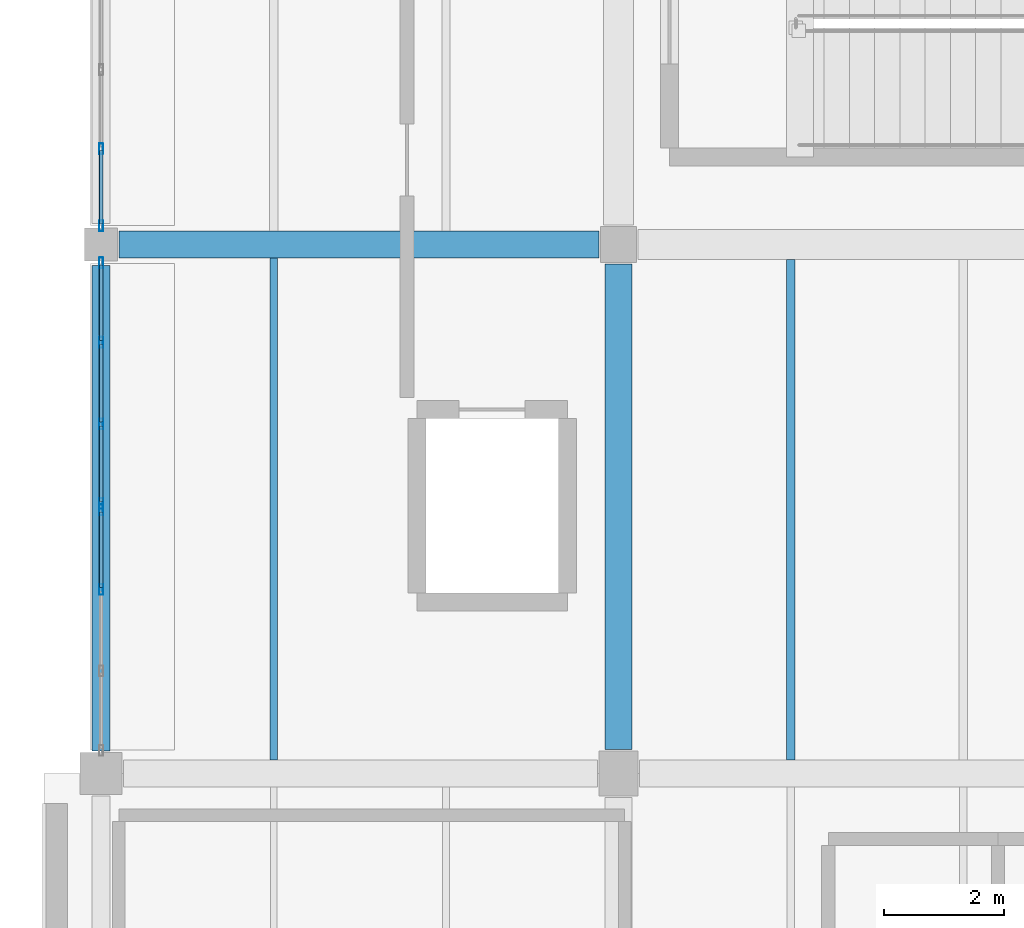
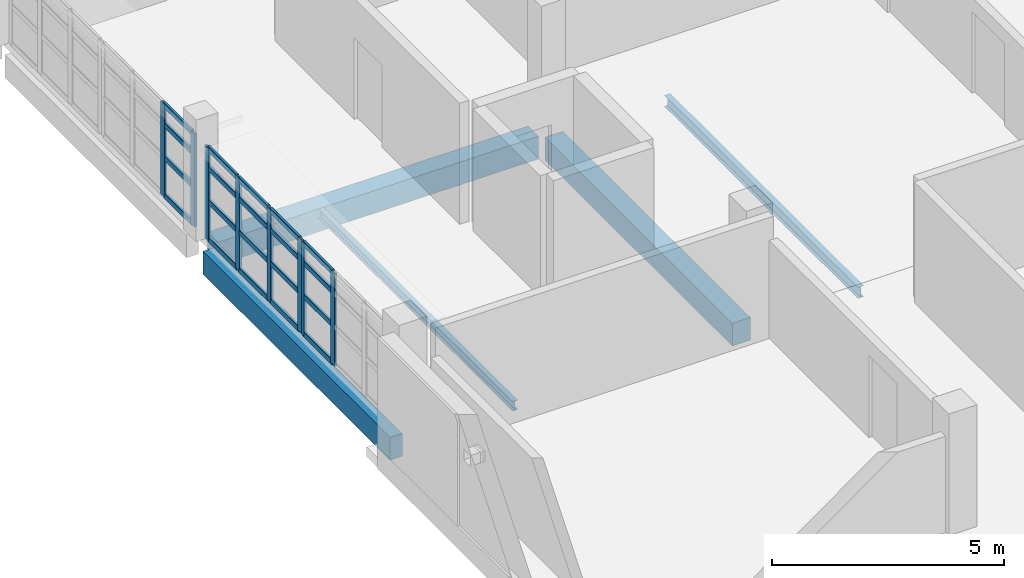
# One storey, part 9 of 55: 28 members, 5 beams, 3 elements without a shape of their own.
"""IFC4 building model written with IfcOpenShell, lengths in metres."""

from ifc_helpers import new_model, si_unit, direction, frame, origin, origin_2d, place, context, subcontext, project, spatial, rectangle, hollow_rectangle, i_section, extrude, material, material_profile, profile_set, type_object, element, aggregate, save


model = new_model("IFC4")

# Units and contexts
model_context = context("Model", 3, precision=1e-05, world=origin(), true_north=direction((0.0, 1.0)))
body_context = subcontext(model_context, "Body", "Model", "MODEL_VIEW")
ifc_project = project(units=[si_unit("LENGTHUNIT", "METRE"), si_unit("AREAUNIT", "SQUARE_METRE"), si_unit("VOLUMEUNIT", "CUBIC_METRE"), si_unit("PLANEANGLEUNIT", "RADIAN"), si_unit("MASSUNIT", "GRAM", prefix="KILO")], contexts=[model_context])

# Site, building, storey
site_placement = place(None, origin())
site = spatial("IfcSite", under=ifc_project, at=site_placement, CompositionType="ELEMENT")
building_placement = place(site_placement, origin())
building = spatial("IfcBuilding", under=site, at=building_placement, Name="Varnakota Cinema and Media Centre", CompositionType="ELEMENT")
storey_placement = place(building_placement, frame((0.0, 0.0, 15.60009765625)))
storey = spatial("IfcBuildingStorey", under=building, at=storey_placement, Name="L04", CompositionType="ELEMENT", Elevation=15.60009765625)

# Beams
ifc_material_1 = material(Name="Concrete M35", Category="concrete")
ifc_material_profile_1 = material_profile(ifc_material_1, rectangle(XDim=0.449951171875, YDim=0.60009765625, at=origin_2d()), Name="RCB 450x600")
ifc_profile_set_1 = profile_set([ifc_material_profile_1], Name="Concrete M35")
beam_type_1 = type_object("IfcBeamType", Name="BM-RC-450x600", PredefinedType="BEAM", material=ifc_profile_set_1)
beam_1_placement = place(storey_placement, frame((0.300048828125, 44.0, -0.550048828125), z_axis=(1.0, 0.0, 0.0), x_axis=(0.0, 1.0, 0.0)))
element("IfcBeam", 1, at=beam_1_placement, inside=storey, type_object=beam_type_1, Name="L04 girder A-B/6", PredefinedType="BEAM", context=body_context, shape_type="SweptSolid", body=[
    extrude(rectangle(XDim=0.449951171875, YDim=0.60009765625, at=origin_2d()), origin(), (0.0, 0.0, 1.0), 7.974853515625),
])
beam_2_placement = place(storey_placement, frame((8.60009765625, 35.60009765625, -0.550048828125), z_axis=(0.0, 1.0, 0.0), x_axis=(-1.0, 0.0, 0.0)))
element("IfcBeam", 2, at=beam_2_placement, inside=storey, type_object=beam_type_1, Name="L04 girder B/5-6", PredefinedType="BEAM", context=body_context, shape_type="SweptSolid", body=[
    extrude(rectangle(XDim=0.449951171875, YDim=0.60009765625, at=origin_2d()), origin(), (0.0, 0.0, 1.0), 8.074951171875),
])
ifc_material_2 = material(Name="Concrete M35", Category="concrete")
ifc_material_profile_2 = material_profile(ifc_material_2, rectangle(XDim=0.300048828125, YDim=0.60009765625, at=origin_2d()), Name="RCB 300x600")
ifc_profile_set_2 = profile_set([ifc_material_profile_2], Name="Concrete M35")
beam_type_2 = type_object("IfcBeamType", Name="BM-SP-300x600", PredefinedType="SPANDREL", material=ifc_profile_set_2)
beam_3_placement = place(storey_placement, frame((0.0, 35.574951171875, -0.550048828125), z_axis=(0.0, 1.0, 0.0), x_axis=(-1.0, 0.0, 0.0)))
element("IfcBeam", 3, at=beam_3_placement, inside=storey, type_object=beam_type_2, Name="L04 girder A/5-6", PredefinedType="SPANDREL", context=body_context, shape_type="SweptSolid", body=[
    extrude(rectangle(XDim=0.300048828125, YDim=0.60009765625, at=origin_2d()), origin(), (0.0, 0.0, 1.0), 8.074951171875),
])
ifc_material_3 = material(Name="Structural steel Grade 350 (E350)", Category="steel")
ifc_material_profile_3 = material_profile(ifc_material_3, i_section(OverallWidth=0.125, OverallDepth=0.25, WebThickness=0.0068359375, FlangeThickness=0.012451171875, FilletRadius=0.012939453125, at=origin_2d()), Name="ISMB 250")
ifc_profile_set_3 = profile_set([ifc_material_profile_3], Name="Structural steel Grade 350 (E350)")
beam_type_3 = type_object("IfcBeamType", Name="BM-ST-ISMB250", PredefinedType="JOIST", material=ifc_profile_set_3)
beam_4_placement = place(storey_placement, frame((2.86669921875, 35.425048828125, -0.375), z_axis=(0.0, 1.0, 0.0), x_axis=(-1.0, 0.0, 0.0)))
element("IfcBeam", 4, at=beam_4_placement, inside=storey, type_object=beam_type_3, Name="L04 steel joist A-B/5-6 #1", PredefinedType="JOIST", context=body_context, shape_type="SweptSolid", body=[
    extrude(i_section(OverallWidth=0.125, OverallDepth=0.25, WebThickness=0.0068359375, FlangeThickness=0.012451171875, FilletRadius=0.012939453125, at=origin_2d()), origin(), (0.0, 0.0, 1.0), 8.349853515625),
])
ifc_material_4 = material(Name="Structural steel Grade 350 (E350)", Category="steel")
ifc_material_profile_4 = material_profile(ifc_material_4, i_section(OverallWidth=0.139892578125, OverallDepth=0.300048828125, WebThickness=0.0078125, FlangeThickness=0.01318359375, FilletRadius=0.013916015625, at=origin_2d()), Name="ISMB 300")
ifc_profile_set_4 = profile_set([ifc_material_profile_4], Name="Structural steel Grade 350 (E350)")
beam_type_4 = type_object("IfcBeamType", Name="BM-ST-ISMB300", PredefinedType="JOIST", material=ifc_profile_set_4)
beam_5_placement = place(storey_placement, frame((11.466796875, 35.425048828125, -0.400146484375), z_axis=(0.0, 1.0, 0.0), x_axis=(-1.0, 0.0, 0.0)))
element("IfcBeam", 5, at=beam_5_placement, inside=storey, type_object=beam_type_4, Name="L04 steel joist B-C/5-6 #1", PredefinedType="JOIST", context=body_context, shape_type="SweptSolid", body=[
    extrude(i_section(OverallWidth=0.139892578125, OverallDepth=0.300048828125, WebThickness=0.0078125, FlangeThickness=0.01318359375, FilletRadius=0.013916015625, at=origin_2d()), origin(), (0.0, 0.0, 1.0), 8.324951171875),
])

# Curtain wall, members
ifc_material_5 = material(Name="Thermally broken anodised aluminium AW-6063", Category="aluminium")
curtain_wall_type_1 = type_object("IfcCurtainWallType", Name="CW-STD-394x244", PredefinedType="USERDEFINED", material=ifc_material_5)
curtain_wall_1_placement = place(storey_placement, origin())
curtain_wall_1 = element("IfcCurtainWall", 6, at=curtain_wall_1_placement, inside=storey, type_object=curtain_wall_type_1, Name="L04 curtain wall CW-L04-V5-W-02-2", ObjectType="UNITISED CURTAIN WALL", PredefinedType="USERDEFINED")
ifc_material_6 = material(Name="Thermally broken anodised aluminium AW-6063", Category="aluminium")
ifc_material_profile_5 = material_profile(ifc_material_6, hollow_rectangle(XDim=0.06494140625, YDim=0.179931640625, WallThickness=0.00390625, InnerFilletRadius=0.00390625, OuterFilletRadius=0.008056640625, at=origin_2d()), Name="AL-MULLION 180x65x4")
ifc_profile_set_5 = profile_set([ifc_material_profile_5], Name="Thermally broken anodised aluminium AW-6063")
member_type_1 = type_object("IfcMemberType", Name="CWM-AL-180", PredefinedType="MULLION", material=ifc_profile_set_5)
member_1_placement = place(storey_placement, frame((0.0, 45.589111328125, 0.0), z_axis=(0.0, 0.0, 1.0), x_axis=(1.0, 0.0, 0.0)))
member_1 = element("IfcMember", 7, at=member_1_placement, type_object=member_type_1, Name="CW50 mullion 3", PredefinedType="MULLION", context=body_context, shape_type="SweptSolid", body=[
    extrude(hollow_rectangle(XDim=0.06494140625, YDim=0.179931640625, WallThickness=0.00390625, InnerFilletRadius=0.00390625, OuterFilletRadius=0.008056640625, at=origin_2d()), origin(), (0.0, 0.0, 1.0), 2.434814453125),
])
member_2_placement = place(storey_placement, frame((0.0, 44.3076171875, 0.0), z_axis=(0.0, 0.0, 1.0), x_axis=(1.0, 0.0, 0.0)))
member_2 = element("IfcMember", 8, at=member_2_placement, type_object=member_type_1, Name="CW50 mullion 4", PredefinedType="MULLION", context=body_context, shape_type="SweptSolid", body=[
    extrude(hollow_rectangle(XDim=0.06494140625, YDim=0.179931640625, WallThickness=0.00390625, InnerFilletRadius=0.00390625, OuterFilletRadius=0.008056640625, at=origin_2d()), origin(), (0.0, 0.0, 1.0), 2.434814453125),
])

ifc_material_7 = material(Name="Thermally broken anodised aluminium AW-6063", Category="aluminium")
curtain_wall_type_2 = type_object("IfcCurtainWallType", Name="CW-STD-407x244", PredefinedType="USERDEFINED", material=ifc_material_7)
curtain_wall_2_placement = place(storey_placement, origin())
curtain_wall_2 = element("IfcCurtainWall", 9, at=curtain_wall_2_placement, inside=storey, type_object=curtain_wall_type_2, Name="L04 curtain wall CW-L04-V5-W-03-1", ObjectType="UNITISED CURTAIN WALL", PredefinedType="USERDEFINED")
member_3_placement = place(storey_placement, frame((0.0, 43.6923828125, 0.0), z_axis=(0.0, 0.0, 1.0), x_axis=(1.0, 0.0, 0.0)))
member_3 = element("IfcMember", 10, at=member_3_placement, type_object=member_type_1, Name="CW51 mullion 1", PredefinedType="MULLION", context=body_context, shape_type="SweptSolid", body=[
    extrude(hollow_rectangle(XDim=0.06494140625, YDim=0.179931640625, WallThickness=0.00390625, InnerFilletRadius=0.00390625, OuterFilletRadius=0.008056640625, at=origin_2d()), origin(), (0.0, 0.0, 1.0), 2.434814453125),
])
member_4_placement = place(storey_placement, frame((0.0, 42.369140625, 0.0), z_axis=(0.0, 0.0, 1.0), x_axis=(1.0, 0.0, 0.0)))
member_4 = element("IfcMember", 11, at=member_4_placement, type_object=member_type_1, Name="CW51 mullion 2", PredefinedType="MULLION", context=body_context, shape_type="SweptSolid", body=[
    extrude(hollow_rectangle(XDim=0.06494140625, YDim=0.179931640625, WallThickness=0.00390625, InnerFilletRadius=0.00390625, OuterFilletRadius=0.008056640625, at=origin_2d()), origin(), (0.0, 0.0, 1.0), 2.434814453125),
])
member_5_placement = place(storey_placement, frame((0.0, 41.013427734375, 0.0), z_axis=(0.0, 0.0, 1.0), x_axis=(1.0, 0.0, 0.0)))
member_5 = element("IfcMember", 12, at=member_5_placement, type_object=member_type_1, Name="CW51 mullion 3", PredefinedType="MULLION", context=body_context, shape_type="SweptSolid", body=[
    extrude(hollow_rectangle(XDim=0.06494140625, YDim=0.179931640625, WallThickness=0.00390625, InnerFilletRadius=0.00390625, OuterFilletRadius=0.008056640625, at=origin_2d()), origin(), (0.0, 0.0, 1.0), 2.434814453125),
])
member_6_placement = place(storey_placement, frame((0.0, 39.68994140625, 0.0), z_axis=(0.0, 0.0, 1.0), x_axis=(1.0, 0.0, 0.0)))
member_6 = element("IfcMember", 13, at=member_6_placement, type_object=member_type_1, Name="CW51 mullion 4", PredefinedType="MULLION", context=body_context, shape_type="SweptSolid", body=[
    extrude(hollow_rectangle(XDim=0.06494140625, YDim=0.179931640625, WallThickness=0.00390625, InnerFilletRadius=0.00390625, OuterFilletRadius=0.008056640625, at=origin_2d()), origin(), (0.0, 0.0, 1.0), 2.434814453125),
])

curtain_wall_3_placement = place(storey_placement, origin())
curtain_wall_3 = element("IfcCurtainWall", 14, at=curtain_wall_3_placement, inside=storey, type_object=curtain_wall_type_2, Name="L04 curtain wall CW-L04-V5-W-03-2", ObjectType="UNITISED CURTAIN WALL", PredefinedType="USERDEFINED")
member_7_placement = place(storey_placement, frame((0.0, 39.5849609375, 0.0), z_axis=(0.0, 0.0, 1.0), x_axis=(1.0, 0.0, 0.0)))
member_7 = element("IfcMember", 15, at=member_7_placement, type_object=member_type_1, Name="CW51 mullion 1", PredefinedType="MULLION", context=body_context, shape_type="SweptSolid", body=[
    extrude(hollow_rectangle(XDim=0.06494140625, YDim=0.179931640625, WallThickness=0.00390625, InnerFilletRadius=0.00390625, OuterFilletRadius=0.008056640625, at=origin_2d()), origin(), (0.0, 0.0, 1.0), 2.434814453125),
])
member_8_placement = place(storey_placement, frame((0.0, 38.26171875, 0.0), z_axis=(0.0, 0.0, 1.0), x_axis=(1.0, 0.0, 0.0)))
member_8 = element("IfcMember", 16, at=member_8_placement, type_object=member_type_1, Name="CW51 mullion 2", PredefinedType="MULLION", context=body_context, shape_type="SweptSolid", body=[
    extrude(hollow_rectangle(XDim=0.06494140625, YDim=0.179931640625, WallThickness=0.00390625, InnerFilletRadius=0.00390625, OuterFilletRadius=0.008056640625, at=origin_2d()), origin(), (0.0, 0.0, 1.0), 2.434814453125),
])

# Member
ifc_material_8 = material(Name="Thermally broken anodised aluminium AW-6063", Category="aluminium")
ifc_material_profile_6 = material_profile(ifc_material_8, hollow_rectangle(XDim=0.06494140625, YDim=0.139892578125, WallThickness=0.00390625, InnerFilletRadius=0.00390625, OuterFilletRadius=0.008056640625, at=origin_2d()), Name="AL-TRANSOM 140x65x4")
ifc_profile_set_6 = profile_set([ifc_material_profile_6], Name="Thermally broken anodised aluminium AW-6063")
member_type_2 = type_object("IfcMemberType", Name="CWT-AL-140", PredefinedType="USERDEFINED", material=ifc_profile_set_6)
member_9_placement = place(storey_placement, frame((0.0, 45.556640625, 0.032470703125), z_axis=(0.0, -1.0, 0.0), x_axis=(1.0, 0.0, 0.0)))
member_9 = element("IfcMember", 17, at=member_9_placement, type_object=member_type_2, Name="CW50 transom 3.1", ObjectType="TRANSOM", PredefinedType="USERDEFINED", context=body_context, shape_type="SweptSolid", body=[
    extrude(hollow_rectangle(XDim=0.06494140625, YDim=0.139892578125, WallThickness=0.00390625, InnerFilletRadius=0.00390625, OuterFilletRadius=0.008056640625, at=origin_2d()), origin(), (0.0, 0.0, 1.0), 1.216552734375),
])

member_10_placement = place(storey_placement, frame((0.0, 45.556640625, 1.022705078125), z_axis=(0.0, -1.0, 0.0), x_axis=(1.0, 0.0, 0.0)))
member_10 = element("IfcMember", 18, at=member_10_placement, type_object=member_type_2, Name="CW50 transom 3.2", ObjectType="TRANSOM", PredefinedType="USERDEFINED", context=body_context, shape_type="SweptSolid", body=[
    extrude(hollow_rectangle(XDim=0.06494140625, YDim=0.139892578125, WallThickness=0.00390625, InnerFilletRadius=0.00390625, OuterFilletRadius=0.008056640625, at=origin_2d()), origin(), (0.0, 0.0, 1.0), 1.216552734375),
])

member_11_placement = place(storey_placement, frame((0.0, 45.556640625, 1.899169921875), z_axis=(0.0, -1.0, 0.0), x_axis=(1.0, 0.0, 0.0)))
member_11 = element("IfcMember", 19, at=member_11_placement, type_object=member_type_2, Name="CW50 transom 3.3", ObjectType="TRANSOM", PredefinedType="USERDEFINED", context=body_context, shape_type="SweptSolid", body=[
    extrude(hollow_rectangle(XDim=0.06494140625, YDim=0.139892578125, WallThickness=0.00390625, InnerFilletRadius=0.00390625, OuterFilletRadius=0.008056640625, at=origin_2d()), origin(), (0.0, 0.0, 1.0), 1.216552734375),
])

member_12_placement = place(storey_placement, frame((0.0, 45.556640625, 2.40234375), z_axis=(0.0, -1.0, 0.0), x_axis=(1.0, 0.0, 0.0)))
member_12 = element("IfcMember", 20, at=member_12_placement, type_object=member_type_2, Name="CW50 transom 3.4", ObjectType="TRANSOM", PredefinedType="USERDEFINED", context=body_context, shape_type="SweptSolid", body=[
    extrude(hollow_rectangle(XDim=0.06494140625, YDim=0.139892578125, WallThickness=0.00390625, InnerFilletRadius=0.00390625, OuterFilletRadius=0.008056640625, at=origin_2d()), origin(), (0.0, 0.0, 1.0), 1.216552734375),
])

aggregate(curtain_wall_1, [member_1, member_2, member_9, member_10, member_11, member_12])

member_13_placement = place(storey_placement, frame((0.0, 43.659912109375, 0.032470703125), z_axis=(0.0, -1.0, 0.0), x_axis=(1.0, 0.0, 0.0)))
member_13 = element("IfcMember", 21, at=member_13_placement, type_object=member_type_2, Name="CW51 transom 1.1", ObjectType="TRANSOM", PredefinedType="USERDEFINED", context=body_context, shape_type="SweptSolid", body=[
    extrude(hollow_rectangle(XDim=0.06494140625, YDim=0.139892578125, WallThickness=0.00390625, InnerFilletRadius=0.00390625, OuterFilletRadius=0.008056640625, at=origin_2d()), origin(), (0.0, 0.0, 1.0), 1.25830078125),
])

member_14_placement = place(storey_placement, frame((0.0, 43.659912109375, 1.022705078125), z_axis=(0.0, -1.0, 0.0), x_axis=(1.0, 0.0, 0.0)))
member_14 = element("IfcMember", 22, at=member_14_placement, type_object=member_type_2, Name="CW51 transom 1.2", ObjectType="TRANSOM", PredefinedType="USERDEFINED", context=body_context, shape_type="SweptSolid", body=[
    extrude(hollow_rectangle(XDim=0.06494140625, YDim=0.139892578125, WallThickness=0.00390625, InnerFilletRadius=0.00390625, OuterFilletRadius=0.008056640625, at=origin_2d()), origin(), (0.0, 0.0, 1.0), 1.25830078125),
])

member_15_placement = place(storey_placement, frame((0.0, 43.659912109375, 1.899169921875), z_axis=(0.0, -1.0, 0.0), x_axis=(1.0, 0.0, 0.0)))
member_15 = element("IfcMember", 23, at=member_15_placement, type_object=member_type_2, Name="CW51 transom 1.3", ObjectType="TRANSOM", PredefinedType="USERDEFINED", context=body_context, shape_type="SweptSolid", body=[
    extrude(hollow_rectangle(XDim=0.06494140625, YDim=0.139892578125, WallThickness=0.00390625, InnerFilletRadius=0.00390625, OuterFilletRadius=0.008056640625, at=origin_2d()), origin(), (0.0, 0.0, 1.0), 1.25830078125),
])

member_16_placement = place(storey_placement, frame((0.0, 43.659912109375, 2.40234375), z_axis=(0.0, -1.0, 0.0), x_axis=(1.0, 0.0, 0.0)))
member_16 = element("IfcMember", 24, at=member_16_placement, type_object=member_type_2, Name="CW51 transom 1.4", ObjectType="TRANSOM", PredefinedType="USERDEFINED", context=body_context, shape_type="SweptSolid", body=[
    extrude(hollow_rectangle(XDim=0.06494140625, YDim=0.139892578125, WallThickness=0.00390625, InnerFilletRadius=0.00390625, OuterFilletRadius=0.008056640625, at=origin_2d()), origin(), (0.0, 0.0, 1.0), 1.25830078125),
])

member_17_placement = place(storey_placement, frame((0.0, 42.336669921875, 0.032470703125), z_axis=(0.0, -1.0, 0.0), x_axis=(1.0, 0.0, 0.0)))
member_17 = element("IfcMember", 25, at=member_17_placement, type_object=member_type_2, Name="CW51 transom 2.1", ObjectType="TRANSOM", PredefinedType="USERDEFINED", context=body_context, shape_type="SweptSolid", body=[
    extrude(hollow_rectangle(XDim=0.06494140625, YDim=0.139892578125, WallThickness=0.00390625, InnerFilletRadius=0.00390625, OuterFilletRadius=0.008056640625, at=origin_2d()), origin(), (0.0, 0.0, 1.0), 1.290771484375),
])

member_18_placement = place(storey_placement, frame((0.0, 42.336669921875, 1.022705078125), z_axis=(0.0, -1.0, 0.0), x_axis=(1.0, 0.0, 0.0)))
member_18 = element("IfcMember", 26, at=member_18_placement, type_object=member_type_2, Name="CW51 transom 2.2", ObjectType="TRANSOM", PredefinedType="USERDEFINED", context=body_context, shape_type="SweptSolid", body=[
    extrude(hollow_rectangle(XDim=0.06494140625, YDim=0.139892578125, WallThickness=0.00390625, InnerFilletRadius=0.00390625, OuterFilletRadius=0.008056640625, at=origin_2d()), origin(), (0.0, 0.0, 1.0), 1.290771484375),
])

member_19_placement = place(storey_placement, frame((0.0, 42.336669921875, 1.899169921875), z_axis=(0.0, -1.0, 0.0), x_axis=(1.0, 0.0, 0.0)))
member_19 = element("IfcMember", 27, at=member_19_placement, type_object=member_type_2, Name="CW51 transom 2.3", ObjectType="TRANSOM", PredefinedType="USERDEFINED", context=body_context, shape_type="SweptSolid", body=[
    extrude(hollow_rectangle(XDim=0.06494140625, YDim=0.139892578125, WallThickness=0.00390625, InnerFilletRadius=0.00390625, OuterFilletRadius=0.008056640625, at=origin_2d()), origin(), (0.0, 0.0, 1.0), 1.290771484375),
])

member_20_placement = place(storey_placement, frame((0.0, 42.336669921875, 2.40234375), z_axis=(0.0, -1.0, 0.0), x_axis=(1.0, 0.0, 0.0)))
member_20 = element("IfcMember", 28, at=member_20_placement, type_object=member_type_2, Name="CW51 transom 2.4", ObjectType="TRANSOM", PredefinedType="USERDEFINED", context=body_context, shape_type="SweptSolid", body=[
    extrude(hollow_rectangle(XDim=0.06494140625, YDim=0.139892578125, WallThickness=0.00390625, InnerFilletRadius=0.00390625, OuterFilletRadius=0.008056640625, at=origin_2d()), origin(), (0.0, 0.0, 1.0), 1.290771484375),
])

member_21_placement = place(storey_placement, frame((0.0, 40.980712890625, 0.032470703125), z_axis=(0.0, -1.0, 0.0), x_axis=(1.0, 0.0, 0.0)))
member_21 = element("IfcMember", 29, at=member_21_placement, type_object=member_type_2, Name="CW51 transom 3.1", ObjectType="TRANSOM", PredefinedType="USERDEFINED", context=body_context, shape_type="SweptSolid", body=[
    extrude(hollow_rectangle(XDim=0.06494140625, YDim=0.139892578125, WallThickness=0.00390625, InnerFilletRadius=0.00390625, OuterFilletRadius=0.008056640625, at=origin_2d()), origin(), (0.0, 0.0, 1.0), 1.25830078125),
])

member_22_placement = place(storey_placement, frame((0.0, 40.980712890625, 1.022705078125), z_axis=(0.0, -1.0, 0.0), x_axis=(1.0, 0.0, 0.0)))
member_22 = element("IfcMember", 30, at=member_22_placement, type_object=member_type_2, Name="CW51 transom 3.2", ObjectType="TRANSOM", PredefinedType="USERDEFINED", context=body_context, shape_type="SweptSolid", body=[
    extrude(hollow_rectangle(XDim=0.06494140625, YDim=0.139892578125, WallThickness=0.00390625, InnerFilletRadius=0.00390625, OuterFilletRadius=0.008056640625, at=origin_2d()), origin(), (0.0, 0.0, 1.0), 1.25830078125),
])

member_23_placement = place(storey_placement, frame((0.0, 40.980712890625, 1.899169921875), z_axis=(0.0, -1.0, 0.0), x_axis=(1.0, 0.0, 0.0)))
member_23 = element("IfcMember", 31, at=member_23_placement, type_object=member_type_2, Name="CW51 transom 3.3", ObjectType="TRANSOM", PredefinedType="USERDEFINED", context=body_context, shape_type="SweptSolid", body=[
    extrude(hollow_rectangle(XDim=0.06494140625, YDim=0.139892578125, WallThickness=0.00390625, InnerFilletRadius=0.00390625, OuterFilletRadius=0.008056640625, at=origin_2d()), origin(), (0.0, 0.0, 1.0), 1.25830078125),
])

member_24_placement = place(storey_placement, frame((0.0, 40.980712890625, 2.40234375), z_axis=(0.0, -1.0, 0.0), x_axis=(1.0, 0.0, 0.0)))
member_24 = element("IfcMember", 32, at=member_24_placement, type_object=member_type_2, Name="CW51 transom 3.4", ObjectType="TRANSOM", PredefinedType="USERDEFINED", context=body_context, shape_type="SweptSolid", body=[
    extrude(hollow_rectangle(XDim=0.06494140625, YDim=0.139892578125, WallThickness=0.00390625, InnerFilletRadius=0.00390625, OuterFilletRadius=0.008056640625, at=origin_2d()), origin(), (0.0, 0.0, 1.0), 1.25830078125),
])

aggregate(curtain_wall_2, [member_3, member_4, member_5, member_6, member_13, member_14, member_15, member_16, member_17, member_18, member_19, member_20, member_21, member_22, member_23, member_24])

member_25_placement = place(storey_placement, frame((0.0, 39.552490234375, 0.032470703125), z_axis=(0.0, -1.0, 0.0), x_axis=(1.0, 0.0, 0.0)))
member_25 = element("IfcMember", 33, at=member_25_placement, type_object=member_type_2, Name="CW51 transom 1.1", ObjectType="TRANSOM", PredefinedType="USERDEFINED", context=body_context, shape_type="SweptSolid", body=[
    extrude(hollow_rectangle(XDim=0.06494140625, YDim=0.139892578125, WallThickness=0.00390625, InnerFilletRadius=0.00390625, OuterFilletRadius=0.008056640625, at=origin_2d()), origin(), (0.0, 0.0, 1.0), 1.25830078125),
])

member_26_placement = place(storey_placement, frame((0.0, 39.552490234375, 1.022705078125), z_axis=(0.0, -1.0, 0.0), x_axis=(1.0, 0.0, 0.0)))
member_26 = element("IfcMember", 34, at=member_26_placement, type_object=member_type_2, Name="CW51 transom 1.2", ObjectType="TRANSOM", PredefinedType="USERDEFINED", context=body_context, shape_type="SweptSolid", body=[
    extrude(hollow_rectangle(XDim=0.06494140625, YDim=0.139892578125, WallThickness=0.00390625, InnerFilletRadius=0.00390625, OuterFilletRadius=0.008056640625, at=origin_2d()), origin(), (0.0, 0.0, 1.0), 1.25830078125),
])

member_27_placement = place(storey_placement, frame((0.0, 39.552490234375, 1.899169921875), z_axis=(0.0, -1.0, 0.0), x_axis=(1.0, 0.0, 0.0)))
member_27 = element("IfcMember", 35, at=member_27_placement, type_object=member_type_2, Name="CW51 transom 1.3", ObjectType="TRANSOM", PredefinedType="USERDEFINED", context=body_context, shape_type="SweptSolid", body=[
    extrude(hollow_rectangle(XDim=0.06494140625, YDim=0.139892578125, WallThickness=0.00390625, InnerFilletRadius=0.00390625, OuterFilletRadius=0.008056640625, at=origin_2d()), origin(), (0.0, 0.0, 1.0), 1.25830078125),
])

member_28_placement = place(storey_placement, frame((0.0, 39.552490234375, 2.40234375), z_axis=(0.0, -1.0, 0.0), x_axis=(1.0, 0.0, 0.0)))
member_28 = element("IfcMember", 36, at=member_28_placement, type_object=member_type_2, Name="CW51 transom 1.4", ObjectType="TRANSOM", PredefinedType="USERDEFINED", context=body_context, shape_type="SweptSolid", body=[
    extrude(hollow_rectangle(XDim=0.06494140625, YDim=0.139892578125, WallThickness=0.00390625, InnerFilletRadius=0.00390625, OuterFilletRadius=0.008056640625, at=origin_2d()), origin(), (0.0, 0.0, 1.0), 1.25830078125),
])

aggregate(curtain_wall_3, [member_7, member_8, member_25, member_26, member_27, member_28])

save(model, "model.ifc")
